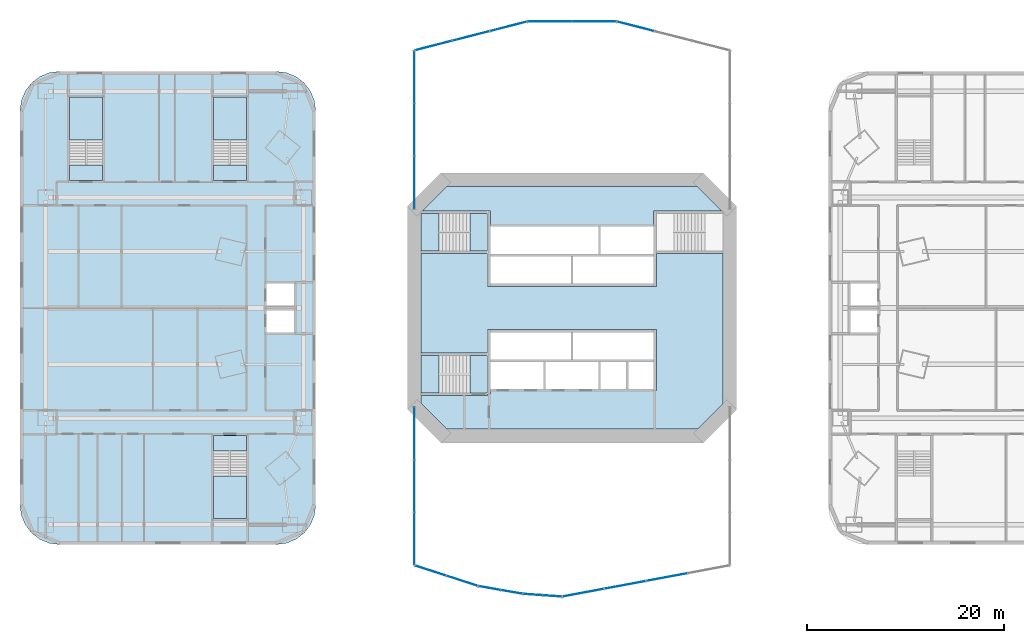
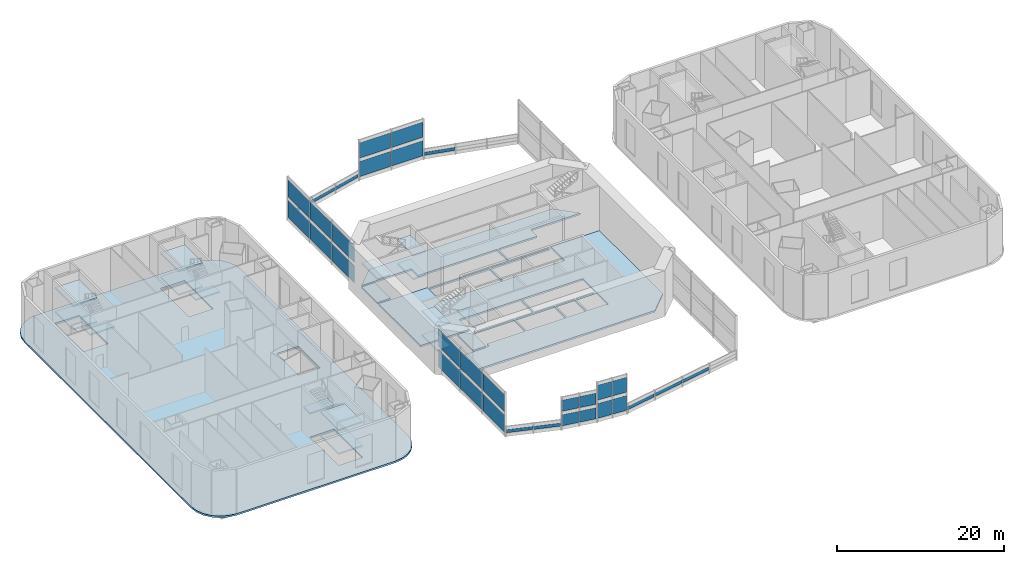
# One storey, part 8 of 19: 33 plates, 20 slabs, 14 elements without a shape of their own.
"""IFC4 building model written with IfcOpenShell, lengths in metres."""

from ifc_helpers import new_model, si_unit, direction, frame, origin, origin_2d, place, context, subcontext, project, spatial, polyline, rectangle, outline, extrude, material, layer, layer_set, type_object, element, aggregate, save


model = new_model("IFC4")

# Units and contexts
model_context = context("Model", 3, precision=1e-05, world=origin(), true_north=direction((0.0, 1.0)))
body_context = subcontext(model_context, "Body", "Model", "MODEL_VIEW")
ifc_project = project(units=[si_unit("LENGTHUNIT", "METRE"), si_unit("AREAUNIT", "SQUARE_METRE"), si_unit("VOLUMEUNIT", "CUBIC_METRE"), si_unit("PLANEANGLEUNIT", "RADIAN"), si_unit("MASSUNIT", "GRAM", prefix="KILO")], contexts=[model_context])

# Site, building, storey
site_placement = place(None, origin())
site = spatial("IfcSite", under=ifc_project, at=site_placement, CompositionType="ELEMENT")
building_placement = place(site_placement, origin())
building = spatial("IfcBuilding", under=site, at=building_placement, Name="Marenthal Gate Tower", CompositionType="ELEMENT")
storey_placement = place(building_placement, frame((0.0, 0.0, 19.0)))
storey = spatial("IfcBuildingStorey", under=building, at=storey_placement, Name="L02", CompositionType="ELEMENT", Elevation=19.0)

# Slabs
ifc_material_1 = material(Name="Concrete 50 MPa", Category="concrete")
ifc_layer_1 = layer(ifc_material_1, 0.25)
ifc_layer_set_1 = layer_set([ifc_layer_1], Name="Core floor slab 250")
slab_type_1 = type_object("IfcSlabType", Name="Core floor slab 250", PredefinedType="FLOOR", material=ifc_layer_set_1)
slab_1_placement = place(storey_placement, frame((0.0, 0.0, -0.25)))
element("IfcSlab", 1, at=slab_1_placement, inside=storey, type_object=slab_type_1, Name="Core floor L02", PredefinedType="FLOOR", context=body_context, shape_type="SweptSolid", body=[
    extrude(outline(polyline([(15.300048828125, -9.710205078125), (12.710205078125, -12.300048828125), (-12.710205078125, -12.300048828125), (-15.300048828125, -9.710205078125), (-15.300048828125, -8.875), (-8.550048828125, -8.875), (-8.550048828125, -8.75), (-8.25, -8.75), (-8.25, -8.239990234375), (-5.60009765625, -8.239990234375), (-2.909912109375, -8.239990234375), (-2.909912109375, -5.4599609375), (-5.60009765625, -5.4599609375), (-8.25, -5.4599609375), (-8.25, -5.239990234375), (-5.60009765625, -5.239990234375), (-2.800048828125, -5.239990234375), (-0.110107421875, -5.239990234375), (-0.110107421875, -2.5), (0.110107421875, -2.5), (0.110107421875, -5.239990234375), (2.800048828125, -5.239990234375), (5.60009765625, -5.239990234375), (8.25, -5.239990234375), (8.25, -5.4599609375), (5.7099609375, -5.4599609375), (5.7099609375, -8.239990234375), (8.25, -8.239990234375), (8.25, -8.35009765625), (8.550048828125, -8.35009765625), (8.550048828125, -2.199951171875), (8.25, -2.199951171875), (-8.25, -2.199951171875), (-8.550048828125, -2.199951171875), (-8.550048828125, -4.574951171875), (-15.300048828125, -4.574951171875), (-15.300048828125, 5.52490234375), (-8.550048828125, 5.52490234375), (-8.550048828125, 2.199951171875), (-8.25, 2.199951171875), (8.25, 2.199951171875), (8.550048828125, 2.199951171875), (8.550048828125, 5.52490234375), (15.300048828125, 5.52490234375), (15.300048828125, -9.710205078125)]), holes=[polyline([(2.909912109375, -8.239990234375), (5.489990234375, -8.239990234375), (5.489990234375, -5.4599609375), (2.909912109375, -5.4599609375), (2.909912109375, -8.239990234375)]), polyline([(-2.68994140625, -5.4599609375), (-2.68994140625, -8.239990234375), (0.0, -8.239990234375), (2.68994140625, -8.239990234375), (2.68994140625, -5.4599609375), (0.0, -5.4599609375), (-2.68994140625, -5.4599609375)])]), origin(), (0.0, 0.0, 1.0), 0.25),
])
slab_2_placement = place(storey_placement, frame((0.0, 0.0, -0.25)))
element("IfcSlab", 2, at=slab_2_placement, inside=storey, type_object=slab_type_1, Name="Core floor L02", PredefinedType="FLOOR", context=body_context, shape_type="SweptSolid", body=[
    extrude(outline(polyline([(12.710205078125, 12.300048828125), (15.18505859375, 9.824951171875), (8.550048828125, 9.824951171875), (8.25, 9.824951171875), (8.25, 8.35009765625), (8.25, 8.239990234375), (5.60009765625, 8.239990234375), (2.909912109375, 8.239990234375), (2.909912109375, 5.4599609375), (5.60009765625, 5.4599609375), (8.25, 5.4599609375), (8.25, 5.239990234375), (5.60009765625, 5.239990234375), (2.800048828125, 5.239990234375), (0.110107421875, 5.239990234375), (0.110107421875, 2.5), (-0.110107421875, 2.5), (-0.110107421875, 5.239990234375), (-2.800048828125, 5.239990234375), (-5.60009765625, 5.239990234375), (-8.25, 5.239990234375), (-8.25, 5.4599609375), (-5.60009765625, 5.4599609375), (-2.800048828125, 5.4599609375), (0.0, 5.4599609375), (2.68994140625, 5.4599609375), (2.68994140625, 8.239990234375), (0.0, 8.239990234375), (-2.800048828125, 8.239990234375), (-5.60009765625, 8.239990234375), (-8.25, 8.239990234375), (-8.25, 8.35009765625), (-8.25, 9.824951171875), (-8.550048828125, 9.824951171875), (-15.18505859375, 9.824951171875), (-12.710205078125, 12.300048828125), (12.710205078125, 12.300048828125)])), origin(), (0.0, 0.0, 1.0), 0.25),
])
slab_3_placement = place(storey_placement, frame((0.0, 0.0, -0.25)))
element("IfcSlab", 3, at=slab_3_placement, inside=storey, type_object=slab_type_1, Name="Core floor L02", PredefinedType="FLOOR", context=body_context, shape_type="SweptSolid", body=[
    extrude(outline(polyline([(-15.300048828125, 9.574951171875), (-13.5, 9.574951171875), (-13.5, 5.77490234375), (-15.300048828125, 5.77490234375), (-15.300048828125, 9.574951171875)])), origin(), (0.0, 0.0, 1.0), 0.25),
])
slab_4_placement = place(storey_placement, frame((0.0, 0.0, -0.25)))
element("IfcSlab", 4, at=slab_4_placement, inside=storey, type_object=slab_type_1, Name="Core floor L02", PredefinedType="FLOOR", context=body_context, shape_type="SweptSolid", body=[
    extrude(outline(polyline([(-10.35009765625, -8.625), (-10.35009765625, -4.824951171875), (-8.550048828125, -4.824951171875), (-8.550048828125, -8.625), (-10.35009765625, -8.625)])), origin(), (0.0, 0.0, 1.0), 0.25),
])

# Curtain wall, plates
ifc_material_2 = material(Name="Aluminium and glass", Category="aluminium")
curtain_wall_type = type_object("IfcCurtainWallType", Name="Curtain wall arch infill", PredefinedType="NOTDEFINED", material=ifc_material_2)
curtain_wall_1_placement = place(storey_placement, origin())
curtain_wall_1 = element("IfcCurtainWall", 5, at=curtain_wall_1_placement, inside=storey, type_object=curtain_wall_type, Name="Curtain wall L02 arch N1", PredefinedType="NOTDEFINED")
ifc_material_3 = material(Name="Glass, laminated impact-rated unit", Category="glass")
ifc_layer_2 = layer(ifc_material_3, 0.035888671875)
ifc_layer_set_2 = layer_set([ifc_layer_2], Name="Glass panel 36 arch infill")
plate_type = type_object("IfcPlateType", Name="Glass panel 36 arch infill", PredefinedType="CURTAIN_PANEL", material=ifc_layer_set_2)
plate_1_placement = place(storey_placement, frame((-14.0576171875, 26.614501953125, 0.5), z_axis=(0.0, 0.0, 1.0), x_axis=(0.968768898542, 0.247965362941, 0.0)))
plate_1 = element("IfcPlate", 6, at=plate_1_placement, type_object=plate_type, Name="Glass panel L02 arch N1.1.1", PredefinedType="CURTAIN_PANEL", context=body_context, shape_type="SweptSolid", body=[
    extrude(rectangle(XDim=3.850341796875, YDim=0.035888671875, at=origin_2d()), origin(), (0.0, 0.0, 1.0), 0.47509765625),
])
plate_2_placement = place(storey_placement, frame((-10.25, 27.589111328125, 0.5), z_axis=(0.0, 0.0, 1.0), x_axis=(0.968768898542, 0.247965362941, 0.0)))
plate_2 = element("IfcPlate", 7, at=plate_2_placement, type_object=plate_type, Name="Glass panel L02 arch N1.2.1", PredefinedType="CURTAIN_PANEL", context=body_context, shape_type="SweptSolid", body=[
    extrude(rectangle(XDim=3.850341796875, YDim=0.035888671875, at=origin_2d()), origin(), (0.0, 0.0, 1.0), 0.47509765625),
])
plate_3_placement = place(storey_placement, frame((-6.4423828125, 28.563720703125, 0.5), z_axis=(0.0, 0.0, 1.0), x_axis=(0.968768898542, 0.247965362941, 0.0)))
plate_3 = element("IfcPlate", 8, at=plate_3_placement, type_object=plate_type, Name="Glass panel L02 arch N1.3.1", PredefinedType="CURTAIN_PANEL", context=body_context, shape_type="SweptSolid", body=[
    extrude(rectangle(XDim=3.850341796875, YDim=0.035888671875, at=origin_2d()), origin(), (0.0, 0.0, 1.0), 0.47509765625),
])
aggregate(curtain_wall_1, [plate_1, plate_2, plate_3])

curtain_wall_2_placement = place(storey_placement, origin())
curtain_wall_2 = element("IfcCurtainWall", 9, at=curtain_wall_2_placement, inside=storey, type_object=curtain_wall_type, Name="Curtain wall L02 arch N2", PredefinedType="NOTDEFINED")
plate_4_placement = place(storey_placement, frame((-2.22998046875, 29.06103515625, 0.5), z_axis=(0.0, 0.0, 1.0), x_axis=(1.0, 0.0, 0.0)))
plate_4 = element("IfcPlate", 10, at=plate_4_placement, type_object=plate_type, Name="Glass panel L02 arch N2.1.1", PredefinedType="CURTAIN_PANEL", context=body_context, shape_type="SweptSolid", body=[
    extrude(rectangle(XDim=4.3798828125, YDim=0.035888671875, at=origin_2d()), origin(), (0.0, 0.0, 1.0), 2.219970703125),
])
plate_5_placement = place(storey_placement, frame((-2.22998046875, 29.06103515625, 3.22021484375), z_axis=(0.0, 0.0, 1.0), x_axis=(1.0, 0.0, 0.0)))
plate_5 = element("IfcPlate", 11, at=plate_5_placement, type_object=plate_type, Name="Glass panel L02 arch N2.1.2", PredefinedType="CURTAIN_PANEL", context=body_context, shape_type="SweptSolid", body=[
    extrude(rectangle(XDim=4.3798828125, YDim=0.035888671875, at=origin_2d()), origin(), (0.0, 0.0, 1.0), 2.219970703125),
])
plate_6_placement = place(storey_placement, frame((2.22998046875, 29.06103515625, 0.5), z_axis=(0.0, 0.0, 1.0), x_axis=(1.0, 0.0, 0.0)))
plate_6 = element("IfcPlate", 12, at=plate_6_placement, type_object=plate_type, Name="Glass panel L02 arch N2.2.1", PredefinedType="CURTAIN_PANEL", context=body_context, shape_type="SweptSolid", body=[
    extrude(rectangle(XDim=4.3798828125, YDim=0.035888671875, at=origin_2d()), origin(), (0.0, 0.0, 1.0), 2.219970703125),
])
plate_7_placement = place(storey_placement, frame((2.22998046875, 29.06103515625, 3.22021484375), z_axis=(0.0, 0.0, 1.0), x_axis=(1.0, 0.0, 0.0)))
plate_7 = element("IfcPlate", 13, at=plate_7_placement, type_object=plate_type, Name="Glass panel L02 arch N2.2.2", PredefinedType="CURTAIN_PANEL", context=body_context, shape_type="SweptSolid", body=[
    extrude(rectangle(XDim=4.3798828125, YDim=0.035888671875, at=origin_2d()), origin(), (0.0, 0.0, 1.0), 2.219970703125),
])
aggregate(curtain_wall_2, [plate_4, plate_5, plate_6, plate_7])

# Curtain wall, plate
curtain_wall_3_placement = place(storey_placement, origin())
curtain_wall_3 = element("IfcCurtainWall", 14, at=curtain_wall_3_placement, inside=storey, type_object=curtain_wall_type, Name="Curtain wall L02 arch N3", PredefinedType="NOTDEFINED")
plate_8_placement = place(storey_placement, frame((6.4423828125, 28.563720703125, 0.5), z_axis=(0.0, 0.0, 1.0), x_axis=(0.968768898542, -0.247965362941, 0.0)))
plate_8 = element("IfcPlate", 15, at=plate_8_placement, type_object=plate_type, Name="Glass panel L02 arch N3.1.1", PredefinedType="CURTAIN_PANEL", context=body_context, shape_type="SweptSolid", body=[
    extrude(rectangle(XDim=3.850341796875, YDim=0.035888671875, at=origin_2d()), origin(), (0.0, 0.0, 1.0), 0.47509765625),
])
aggregate(curtain_wall_3, [plate_8])

# Curtain wall, plates
curtain_wall_4_placement = place(storey_placement, origin())
curtain_wall_4 = element("IfcCurtainWall", 16, at=curtain_wall_4_placement, inside=storey, type_object=curtain_wall_type, Name="Curtain wall L02 hall NW1", PredefinedType="NOTDEFINED")
plate_9_placement = place(storey_placement, frame((-16.0, 12.712890625, 0.5), z_axis=(0.0, 0.0, 1.0), x_axis=(0.0, 1.0, 0.0)))
plate_9 = element("IfcPlate", 17, at=plate_9_placement, type_object=plate_type, Name="Glass panel L02 hall NW1.1.1", PredefinedType="CURTAIN_PANEL", context=body_context, shape_type="SweptSolid", body=[
    extrude(rectangle(XDim=5.265869140625, YDim=0.035888671875, at=origin_2d()), origin(), (0.0, 0.0, 1.0), 2.5),
])
plate_10_placement = place(storey_placement, frame((-16.0, 12.712890625, 3.5), z_axis=(0.0, 0.0, 1.0), x_axis=(0.0, 1.0, 0.0)))
plate_10 = element("IfcPlate", 18, at=plate_10_placement, type_object=plate_type, Name="Glass panel L02 hall NW1.1.2", PredefinedType="CURTAIN_PANEL", context=body_context, shape_type="SweptSolid", body=[
    extrude(rectangle(XDim=5.265869140625, YDim=0.035888671875, at=origin_2d()), origin(), (0.0, 0.0, 1.0), 2.5),
])
plate_11_placement = place(storey_placement, frame((-16.0, 18.05859375, 0.5), z_axis=(0.0, 0.0, 1.0), x_axis=(0.0, 1.0, 0.0)))
plate_11 = element("IfcPlate", 19, at=plate_11_placement, type_object=plate_type, Name="Glass panel L02 hall NW1.2.1", PredefinedType="CURTAIN_PANEL", context=body_context, shape_type="SweptSolid", body=[
    extrude(rectangle(XDim=5.265869140625, YDim=0.035888671875, at=origin_2d()), origin(), (0.0, 0.0, 1.0), 2.5),
])
plate_12_placement = place(storey_placement, frame((-16.0, 18.05859375, 3.5), z_axis=(0.0, 0.0, 1.0), x_axis=(0.0, 1.0, 0.0)))
plate_12 = element("IfcPlate", 20, at=plate_12_placement, type_object=plate_type, Name="Glass panel L02 hall NW1.2.2", PredefinedType="CURTAIN_PANEL", context=body_context, shape_type="SweptSolid", body=[
    extrude(rectangle(XDim=5.265869140625, YDim=0.035888671875, at=origin_2d()), origin(), (0.0, 0.0, 1.0), 2.5),
])
plate_13_placement = place(storey_placement, frame((-16.0, 23.404541015625, 0.5), z_axis=(0.0, 0.0, 1.0), x_axis=(0.0, 1.0, 0.0)))
plate_13 = element("IfcPlate", 21, at=plate_13_placement, type_object=plate_type, Name="Glass panel L02 hall NW1.3.1", PredefinedType="CURTAIN_PANEL", context=body_context, shape_type="SweptSolid", body=[
    extrude(rectangle(XDim=5.265869140625, YDim=0.035888671875, at=origin_2d()), origin(), (0.0, 0.0, 1.0), 2.5),
])
plate_14_placement = place(storey_placement, frame((-16.0, 23.404541015625, 3.5), z_axis=(0.0, 0.0, 1.0), x_axis=(0.0, 1.0, 0.0)))
plate_14 = element("IfcPlate", 22, at=plate_14_placement, type_object=plate_type, Name="Glass panel L02 hall NW1.3.2", PredefinedType="CURTAIN_PANEL", context=body_context, shape_type="SweptSolid", body=[
    extrude(rectangle(XDim=5.265869140625, YDim=0.035888671875, at=origin_2d()), origin(), (0.0, 0.0, 1.0), 2.5),
])
aggregate(curtain_wall_4, [plate_9, plate_10, plate_11, plate_12, plate_13, plate_14])

curtain_wall_5_placement = place(storey_placement, origin())
curtain_wall_5 = element("IfcCurtainWall", 23, at=curtain_wall_5_placement, inside=storey, type_object=curtain_wall_type, Name="Curtain wall L02 arch S1", PredefinedType="NOTDEFINED")
plate_15_placement = place(storey_placement, frame((-14.35595703125, -26.64892578125, 0.5), z_axis=(0.0, 0.0, 1.0), x_axis=(0.951502371344, -0.307641410292, 0.0)))
plate_15 = element("IfcPlate", 24, at=plate_15_placement, type_object=plate_type, Name="Glass panel L02 arch S1.1.1", PredefinedType="CURTAIN_PANEL", context=body_context, shape_type="SweptSolid", body=[
    extrude(rectangle(XDim=3.295654296875, YDim=0.035888671875, at=origin_2d()), origin(), (0.0, 0.0, 1.0), 0.47509765625),
])
plate_16_placement = place(storey_placement, frame((-11.14404296875, -27.6875, 0.5), z_axis=(0.0, 0.0, 1.0), x_axis=(0.951502371344, -0.307641410292, 0.0)))
plate_16 = element("IfcPlate", 25, at=plate_16_placement, type_object=plate_type, Name="Glass panel L02 arch S1.2.1", PredefinedType="CURTAIN_PANEL", context=body_context, shape_type="SweptSolid", body=[
    extrude(rectangle(XDim=3.295654296875, YDim=0.035888671875, at=origin_2d()), origin(), (0.0, 0.0, 1.0), 0.47509765625),
])
aggregate(curtain_wall_5, [plate_15, plate_16])

curtain_wall_6_placement = place(storey_placement, origin())
curtain_wall_6 = element("IfcCurtainWall", 26, at=curtain_wall_6_placement, inside=storey, type_object=curtain_wall_type, Name="Curtain wall L02 arch S2", PredefinedType="NOTDEFINED")
plate_17_placement = place(storey_placement, frame((-8.355224609375, -28.4189453125, 0.5), z_axis=(0.0, 0.0, 1.0), x_axis=(0.985101701709, -0.171972780668, 0.0)))
plate_17 = element("IfcPlate", 27, at=plate_17_placement, type_object=plate_type, Name="Glass panel L02 arch S2.1.1", PredefinedType="CURTAIN_PANEL", context=body_context, shape_type="SweptSolid", body=[
    extrude(rectangle(XDim=2.1640625, YDim=0.035888671875, at=origin_2d()), origin(), (0.0, 0.0, 1.0), 1.632568359375),
])
plate_18_placement = place(storey_placement, frame((-8.355224609375, -28.4189453125, 2.63232421875), z_axis=(0.0, 0.0, 1.0), x_axis=(0.985101701709, -0.171972780668, 0.0)))
plate_18 = element("IfcPlate", 28, at=plate_18_placement, type_object=plate_type, Name="Glass panel L02 arch S2.1.2", PredefinedType="CURTAIN_PANEL", context=body_context, shape_type="SweptSolid", body=[
    extrude(rectangle(XDim=2.1640625, YDim=0.035888671875, at=origin_2d()), origin(), (0.0, 0.0, 1.0), 1.632568359375),
])
plate_19_placement = place(storey_placement, frame((-6.144775390625, -28.8046875, 0.5), z_axis=(0.0, 0.0, 1.0), x_axis=(0.985101701709, -0.171972780668, 0.0)))
plate_19 = element("IfcPlate", 29, at=plate_19_placement, type_object=plate_type, Name="Glass panel L02 arch S2.2.1", PredefinedType="CURTAIN_PANEL", context=body_context, shape_type="SweptSolid", body=[
    extrude(rectangle(XDim=2.1640625, YDim=0.035888671875, at=origin_2d()), origin(), (0.0, 0.0, 1.0), 1.632568359375),
])
plate_20_placement = place(storey_placement, frame((-6.144775390625, -28.8046875, 2.63232421875), z_axis=(0.0, 0.0, 1.0), x_axis=(0.985101701709, -0.171972780668, 0.0)))
plate_20 = element("IfcPlate", 30, at=plate_20_placement, type_object=plate_type, Name="Glass panel L02 arch S2.2.2", PredefinedType="CURTAIN_PANEL", context=body_context, shape_type="SweptSolid", body=[
    extrude(rectangle(XDim=2.1640625, YDim=0.035888671875, at=origin_2d()), origin(), (0.0, 0.0, 1.0), 1.632568359375),
])
aggregate(curtain_wall_6, [plate_17, plate_18, plate_19, plate_20])

curtain_wall_7_placement = place(storey_placement, origin())
curtain_wall_7 = element("IfcCurtainWall", 31, at=curtain_wall_7_placement, inside=storey, type_object=curtain_wall_type, Name="Curtain wall L02 arch S3", PredefinedType="NOTDEFINED")
plate_21_placement = place(storey_placement, frame((-3.97998046875, -29.076904296875, 0.5), z_axis=(0.0, 0.0, 1.0), x_axis=(0.997495161638, -0.070734733401, 0.0)))
plate_21 = element("IfcPlate", 32, at=plate_21_placement, type_object=plate_type, Name="Glass panel L02 arch S3.1.1", PredefinedType="CURTAIN_PANEL", context=body_context, shape_type="SweptSolid", body=[
    extrude(rectangle(XDim=1.885009765625, YDim=0.035888671875, at=origin_2d()), origin(), (0.0, 0.0, 1.0), 2.177001953125),
])
plate_22_placement = place(storey_placement, frame((-3.97998046875, -29.076904296875, 3.1767578125), z_axis=(0.0, 0.0, 1.0), x_axis=(0.997495161638, -0.070734733401, 0.0)))
plate_22 = element("IfcPlate", 33, at=plate_22_placement, type_object=plate_type, Name="Glass panel L02 arch S3.1.2", PredefinedType="CURTAIN_PANEL", context=body_context, shape_type="SweptSolid", body=[
    extrude(rectangle(XDim=1.885009765625, YDim=0.035888671875, at=origin_2d()), origin(), (0.0, 0.0, 1.0), 2.177001953125),
])
plate_23_placement = place(storey_placement, frame((-2.02001953125, -29.2158203125, 0.5), z_axis=(0.0, 0.0, 1.0), x_axis=(0.997495161638, -0.070734733401, 0.0)))
plate_23 = element("IfcPlate", 34, at=plate_23_placement, type_object=plate_type, Name="Glass panel L02 arch S3.2.1", PredefinedType="CURTAIN_PANEL", context=body_context, shape_type="SweptSolid", body=[
    extrude(rectangle(XDim=1.885009765625, YDim=0.035888671875, at=origin_2d()), origin(), (0.0, 0.0, 1.0), 2.177001953125),
])
plate_24_placement = place(storey_placement, frame((-2.02001953125, -29.2158203125, 3.1767578125), z_axis=(0.0, 0.0, 1.0), x_axis=(0.997495161638, -0.070734733401, 0.0)))
plate_24 = element("IfcPlate", 35, at=plate_24_placement, type_object=plate_type, Name="Glass panel L02 arch S3.2.2", PredefinedType="CURTAIN_PANEL", context=body_context, shape_type="SweptSolid", body=[
    extrude(rectangle(XDim=1.885009765625, YDim=0.035888671875, at=origin_2d()), origin(), (0.0, 0.0, 1.0), 2.177001953125),
])
aggregate(curtain_wall_7, [plate_21, plate_22, plate_23, plate_24])

curtain_wall_8_placement = place(storey_placement, origin())
curtain_wall_8 = element("IfcCurtainWall", 36, at=curtain_wall_8_placement, inside=storey, type_object=curtain_wall_type, Name="Curtain wall L02 arch S4", PredefinedType="NOTDEFINED")
plate_25_placement = place(storey_placement, frame((1.154541015625, -28.886474609375, 0.5), z_axis=(0.0, 0.0, 1.0), x_axis=(0.983046432537, 0.183356787375, 0.0)))
plate_25 = element("IfcPlate", 37, at=plate_25_placement, type_object=plate_type, Name="Glass panel L02 arch S4.1.1", PredefinedType="CURTAIN_PANEL", context=body_context, shape_type="SweptSolid", body=[
    extrude(rectangle(XDim=4.223388671875, YDim=0.035888671875, at=origin_2d()), origin(), (0.0, 0.0, 1.0), 0.47509765625),
])
plate_26_placement = place(storey_placement, frame((5.384765625, -28.097412109375, 0.5), z_axis=(0.0, 0.0, 1.0), x_axis=(0.983046432537, 0.183356787375, 0.0)))
plate_26 = element("IfcPlate", 38, at=plate_26_placement, type_object=plate_type, Name="Glass panel L02 arch S4.2.1", PredefinedType="CURTAIN_PANEL", context=body_context, shape_type="SweptSolid", body=[
    extrude(rectangle(XDim=4.223388671875, YDim=0.035888671875, at=origin_2d()), origin(), (0.0, 0.0, 1.0), 0.47509765625),
])
plate_27_placement = place(storey_placement, frame((9.615234375, -27.308349609375, 0.5), z_axis=(0.0, 0.0, 1.0), x_axis=(0.983046432537, 0.183356787375, 0.0)))
plate_27 = element("IfcPlate", 39, at=plate_27_placement, type_object=plate_type, Name="Glass panel L02 arch S4.3.1", PredefinedType="CURTAIN_PANEL", context=body_context, shape_type="SweptSolid", body=[
    extrude(rectangle(XDim=4.223388671875, YDim=0.035888671875, at=origin_2d()), origin(), (0.0, 0.0, 1.0), 0.47509765625),
])
aggregate(curtain_wall_8, [plate_25, plate_26, plate_27])

curtain_wall_9_placement = place(storey_placement, origin())
curtain_wall_9 = element("IfcCurtainWall", 40, at=curtain_wall_9_placement, inside=storey, type_object=curtain_wall_type, Name="Curtain wall L02 hall SW1", PredefinedType="NOTDEFINED")
plate_28_placement = place(storey_placement, frame((-16.0, -12.712890625, 0.5), z_axis=(0.0, 0.0, 1.0), x_axis=(0.0, -1.0, 0.0)))
plate_28 = element("IfcPlate", 41, at=plate_28_placement, type_object=plate_type, Name="Glass panel L02 hall SW1.1.1", PredefinedType="CURTAIN_PANEL", context=body_context, shape_type="SweptSolid", body=[
    extrude(rectangle(XDim=5.265869140625, YDim=0.035888671875, at=origin_2d()), origin(), (0.0, 0.0, 1.0), 2.5),
])
plate_29_placement = place(storey_placement, frame((-16.0, -12.712890625, 3.5), z_axis=(0.0, 0.0, 1.0), x_axis=(0.0, -1.0, 0.0)))
plate_29 = element("IfcPlate", 42, at=plate_29_placement, type_object=plate_type, Name="Glass panel L02 hall SW1.1.2", PredefinedType="CURTAIN_PANEL", context=body_context, shape_type="SweptSolid", body=[
    extrude(rectangle(XDim=5.265869140625, YDim=0.035888671875, at=origin_2d()), origin(), (0.0, 0.0, 1.0), 2.5),
])
plate_30_placement = place(storey_placement, frame((-16.0, -18.05859375, 0.5), z_axis=(0.0, 0.0, 1.0), x_axis=(0.0, -1.0, 0.0)))
plate_30 = element("IfcPlate", 43, at=plate_30_placement, type_object=plate_type, Name="Glass panel L02 hall SW1.2.1", PredefinedType="CURTAIN_PANEL", context=body_context, shape_type="SweptSolid", body=[
    extrude(rectangle(XDim=5.265869140625, YDim=0.035888671875, at=origin_2d()), origin(), (0.0, 0.0, 1.0), 2.5),
])
plate_31_placement = place(storey_placement, frame((-16.0, -18.05859375, 3.5), z_axis=(0.0, 0.0, 1.0), x_axis=(0.0, -1.0, 0.0)))
plate_31 = element("IfcPlate", 44, at=plate_31_placement, type_object=plate_type, Name="Glass panel L02 hall SW1.2.2", PredefinedType="CURTAIN_PANEL", context=body_context, shape_type="SweptSolid", body=[
    extrude(rectangle(XDim=5.265869140625, YDim=0.035888671875, at=origin_2d()), origin(), (0.0, 0.0, 1.0), 2.5),
])
plate_32_placement = place(storey_placement, frame((-16.0, -23.404541015625, 0.5), z_axis=(0.0, 0.0, 1.0), x_axis=(0.0, -1.0, 0.0)))
plate_32 = element("IfcPlate", 45, at=plate_32_placement, type_object=plate_type, Name="Glass panel L02 hall SW1.3.1", PredefinedType="CURTAIN_PANEL", context=body_context, shape_type="SweptSolid", body=[
    extrude(rectangle(XDim=5.265869140625, YDim=0.035888671875, at=origin_2d()), origin(), (0.0, 0.0, 1.0), 2.5),
])
plate_33_placement = place(storey_placement, frame((-16.0, -23.404541015625, 3.5), z_axis=(0.0, 0.0, 1.0), x_axis=(0.0, -1.0, 0.0)))
plate_33 = element("IfcPlate", 46, at=plate_33_placement, type_object=plate_type, Name="Glass panel L02 hall SW1.3.2", PredefinedType="CURTAIN_PANEL", context=body_context, shape_type="SweptSolid", body=[
    extrude(rectangle(XDim=5.265869140625, YDim=0.035888671875, at=origin_2d()), origin(), (0.0, 0.0, 1.0), 2.5),
])
aggregate(curtain_wall_9, [plate_28, plate_29, plate_30, plate_31, plate_32, plate_33])

# Stair, slabs
ifc_material_4 = material(Name="Concrete 40 MPa", Category="concrete")
stair_type_1 = type_object("IfcStairType", Name="Exit stair 1800", PredefinedType="HALF_TURN_STAIR", material=ifc_material_4)
stair_1_placement = place(storey_placement, origin())
stair_1 = element("IfcStair", 47, at=stair_1_placement, inside=storey, type_object=stair_type_1, Name="Stair ST1", PredefinedType="HALF_TURN_STAIR")
ifc_material_5 = material(Name="Concrete 40 MPa", Category="concrete")
ifc_layer_3 = layer(ifc_material_5, 0.199951171875)
ifc_layer_set_3 = layer_set([ifc_layer_3], Name="Stair landing 200")
slab_type_2 = type_object("IfcSlabType", Name="Stair landing 200", PredefinedType="LANDING", material=ifc_layer_set_3)
slab_5_placement = place(storey_placement, frame((0.0, 0.0, 1.550048828125)))
slab_5 = element("IfcSlab", 48, at=slab_5_placement, type_object=slab_type_2, Name="ST1 landing 1", PredefinedType="LANDING", context=body_context, shape_type="SweptSolid", body=[
    extrude(outline(polyline([(-10.35009765625, 5.77490234375), (-8.550048828125, 5.77490234375), (-8.550048828125, 9.574951171875), (-10.35009765625, 9.574951171875), (-10.35009765625, 5.77490234375)])), origin(), (0.0, 0.0, 1.0), 0.199951171875),
])
slab_6_placement = place(storey_placement, frame((0.0, 0.0, 3.300048828125)))
slab_6 = element("IfcSlab", 49, at=slab_6_placement, type_object=slab_type_2, Name="ST1 landing 2", PredefinedType="LANDING", context=body_context, shape_type="SweptSolid", body=[
    extrude(outline(polyline([(-15.300048828125, 5.77490234375), (-13.5, 5.77490234375), (-13.5, 9.574951171875), (-15.300048828125, 9.574951171875), (-15.300048828125, 5.77490234375)])), origin(), (0.0, 0.0, 1.0), 0.199951171875),
])
slab_7_placement = place(storey_placement, frame((0.0, 0.0, 5.050048828125)))
slab_7 = element("IfcSlab", 50, at=slab_7_placement, type_object=slab_type_2, Name="ST1 landing 3", PredefinedType="LANDING", context=body_context, shape_type="SweptSolid", body=[
    extrude(outline(polyline([(-10.35009765625, 5.77490234375), (-8.550048828125, 5.77490234375), (-8.550048828125, 9.574951171875), (-10.35009765625, 9.574951171875), (-10.35009765625, 5.77490234375)])), origin(), (0.0, 0.0, 1.0), 0.199951171875),
])
aggregate(stair_1, [slab_5, slab_6, slab_7])

stair_2_placement = place(storey_placement, origin())
stair_2 = element("IfcStair", 51, at=stair_2_placement, inside=storey, type_object=stair_type_1, Name="Stair ST2", PredefinedType="HALF_TURN_STAIR")
slab_8_placement = place(storey_placement, frame((0.0, 0.0, 1.550048828125)))
slab_8 = element("IfcSlab", 52, at=slab_8_placement, type_object=slab_type_2, Name="ST2 landing 1", PredefinedType="LANDING", context=body_context, shape_type="SweptSolid", body=[
    extrude(outline(polyline([(-15.300048828125, -8.625), (-13.5, -8.625), (-13.5, -4.824951171875), (-15.300048828125, -4.824951171875), (-15.300048828125, -8.625)])), origin(), (0.0, 0.0, 1.0), 0.199951171875),
])
slab_9_placement = place(storey_placement, frame((0.0, 0.0, 3.300048828125)))
slab_9 = element("IfcSlab", 53, at=slab_9_placement, type_object=slab_type_2, Name="ST2 landing 2", PredefinedType="LANDING", context=body_context, shape_type="SweptSolid", body=[
    extrude(outline(polyline([(-10.35009765625, -8.625), (-8.550048828125, -8.625), (-8.550048828125, -4.824951171875), (-10.35009765625, -4.824951171875), (-10.35009765625, -8.625)])), origin(), (0.0, 0.0, 1.0), 0.199951171875),
])
slab_10_placement = place(storey_placement, frame((0.0, 0.0, 5.050048828125)))
slab_10 = element("IfcSlab", 54, at=slab_10_placement, type_object=slab_type_2, Name="ST2 landing 3", PredefinedType="LANDING", context=body_context, shape_type="SweptSolid", body=[
    extrude(outline(polyline([(-15.300048828125, -8.625), (-13.5, -8.625), (-13.5, -4.824951171875), (-15.300048828125, -4.824951171875), (-15.300048828125, -8.625)])), origin(), (0.0, 0.0, 1.0), 0.199951171875),
])
aggregate(stair_2, [slab_8, slab_9, slab_10])

ifc_material_6 = material(Name="Concrete 40 MPa", Category="concrete")
stair_type_2 = type_object("IfcStairType", Name="Exit stair 1600", PredefinedType="HALF_TURN_STAIR", material=ifc_material_6)
stair_3_placement = place(storey_placement, origin())
stair_3 = element("IfcStair", 55, at=stair_3_placement, inside=storey, type_object=stair_type_2, Name="Stair W1", PredefinedType="HALF_TURN_STAIR")
slab_11_placement = place(storey_placement, frame((0.0, 0.0, 1.550048828125)))
slab_11 = element("IfcSlab", 56, at=slab_11_placement, type_object=slab_type_2, Name="W1 landing 1", PredefinedType="LANDING", context=body_context, shape_type="SweptSolid", body=[
    extrude(outline(polyline([(-36.375, 17.044921875), (-36.375, 21.375), (-33.02490234375, 21.375), (-33.02490234375, 17.044921875), (-36.375, 17.044921875)])), origin(), (0.0, 0.0, 1.0), 0.199951171875),
])
slab_12_placement = place(storey_placement, frame((0.0, 0.0, 3.300048828125)))
slab_12 = element("IfcSlab", 57, at=slab_12_placement, type_object=slab_type_2, Name="W1 landing 2", PredefinedType="LANDING", context=body_context, shape_type="SweptSolid", body=[
    extrude(outline(polyline([(-36.375, 12.925048828125), (-36.375, 14.52490234375), (-33.02490234375, 14.52490234375), (-33.02490234375, 12.925048828125), (-36.375, 12.925048828125)])), origin(), (0.0, 0.0, 1.0), 0.199951171875),
])
slab_13_placement = place(storey_placement, frame((0.0, 0.0, 5.050048828125)))
slab_13 = element("IfcSlab", 58, at=slab_13_placement, type_object=slab_type_2, Name="W1 landing 3", PredefinedType="LANDING", context=body_context, shape_type="SweptSolid", body=[
    extrude(outline(polyline([(-36.375, 17.044921875), (-36.375, 21.375), (-33.02490234375, 21.375), (-33.02490234375, 17.044921875), (-36.375, 17.044921875)])), origin(), (0.0, 0.0, 1.0), 0.199951171875),
])
aggregate(stair_3, [slab_11, slab_12, slab_13])

stair_4_placement = place(storey_placement, origin())
stair_4 = element("IfcStair", 59, at=stair_4_placement, inside=storey, type_object=stair_type_2, Name="Stair W2", PredefinedType="HALF_TURN_STAIR")
slab_14_placement = place(storey_placement, frame((0.0, 0.0, 1.550048828125)))
slab_14 = element("IfcSlab", 60, at=slab_14_placement, type_object=slab_type_2, Name="W2 landing 1", PredefinedType="LANDING", context=body_context, shape_type="SweptSolid", body=[
    extrude(outline(polyline([(-33.02490234375, -17.044921875), (-33.02490234375, -21.375), (-36.375, -21.375), (-36.375, -17.044921875), (-33.02490234375, -17.044921875)])), origin(), (0.0, 0.0, 1.0), 0.199951171875),
])
slab_15_placement = place(storey_placement, frame((0.0, 0.0, 3.300048828125)))
slab_15 = element("IfcSlab", 61, at=slab_15_placement, type_object=slab_type_2, Name="W2 landing 2", PredefinedType="LANDING", context=body_context, shape_type="SweptSolid", body=[
    extrude(outline(polyline([(-33.02490234375, -12.925048828125), (-33.02490234375, -14.52490234375), (-36.375, -14.52490234375), (-36.375, -12.925048828125), (-33.02490234375, -12.925048828125)])), origin(), (0.0, 0.0, 1.0), 0.199951171875),
])
slab_16_placement = place(storey_placement, frame((0.0, 0.0, 5.050048828125)))
slab_16 = element("IfcSlab", 62, at=slab_16_placement, type_object=slab_type_2, Name="W2 landing 3", PredefinedType="LANDING", context=body_context, shape_type="SweptSolid", body=[
    extrude(outline(polyline([(-33.02490234375, -17.044921875), (-33.02490234375, -21.375), (-36.375, -21.375), (-36.375, -17.044921875), (-33.02490234375, -17.044921875)])), origin(), (0.0, 0.0, 1.0), 0.199951171875),
])
aggregate(stair_4, [slab_14, slab_15, slab_16])

stair_5_placement = place(storey_placement, origin())
stair_5 = element("IfcStair", 63, at=stair_5_placement, inside=storey, type_object=stair_type_2, Name="Stair W3", PredefinedType="HALF_TURN_STAIR")
slab_17_placement = place(storey_placement, frame((0.0, 0.0, 1.550048828125)))
slab_17 = element("IfcSlab", 64, at=slab_17_placement, type_object=slab_type_2, Name="W3 landing 1", PredefinedType="LANDING", context=body_context, shape_type="SweptSolid", body=[
    extrude(outline(polyline([(-50.97509765625, 17.044921875), (-50.97509765625, 21.375), (-47.625, 21.375), (-47.625, 17.044921875), (-50.97509765625, 17.044921875)])), origin(), (0.0, 0.0, 1.0), 0.199951171875),
])
slab_18_placement = place(storey_placement, frame((0.0, 0.0, 3.300048828125)))
slab_18 = element("IfcSlab", 65, at=slab_18_placement, type_object=slab_type_2, Name="W3 landing 2", PredefinedType="LANDING", context=body_context, shape_type="SweptSolid", body=[
    extrude(outline(polyline([(-50.97509765625, 12.925048828125), (-50.97509765625, 14.52490234375), (-47.625, 14.52490234375), (-47.625, 12.925048828125), (-50.97509765625, 12.925048828125)])), origin(), (0.0, 0.0, 1.0), 0.199951171875),
])
slab_19_placement = place(storey_placement, frame((0.0, 0.0, 5.050048828125)))
slab_19 = element("IfcSlab", 66, at=slab_19_placement, type_object=slab_type_2, Name="W3 landing 3", PredefinedType="LANDING", context=body_context, shape_type="SweptSolid", body=[
    extrude(outline(polyline([(-50.97509765625, 17.044921875), (-50.97509765625, 21.375), (-47.625, 21.375), (-47.625, 17.044921875), (-50.97509765625, 17.044921875)])), origin(), (0.0, 0.0, 1.0), 0.199951171875),
])
aggregate(stair_5, [slab_17, slab_18, slab_19])

# Slab
ifc_material_7 = material(Name="Concrete 35 MPa", Category="concrete")
ifc_layer_4 = layer(ifc_material_7, 0.25)
ifc_layer_set_4 = layer_set([ifc_layer_4], Name="WING FLOOR 250")
slab_type_3 = type_object("IfcSlabType", Name="WING FLOOR 250", PredefinedType="FLOOR", material=ifc_layer_set_4)
slab_20_placement = place(storey_placement, frame((0.0, 0.0, -0.25)))
element("IfcSlab", 67, at=slab_20_placement, inside=storey, type_object=slab_type_3, Name="SL-L02-12", PredefinedType="FLOOR", context=body_context, shape_type="SweptSolid", body=[
    extrude(outline(polyline([(-52.0, -24.0), (-53.035400390625, -23.86376953125), (-54.0, -23.464111328125), (-54.828369140625, -22.828369140625), (-55.464111328125, -22.0), (-55.86376953125, -21.035400390625), (-56.0, -20.0), (-56.0, 20.0), (-55.86376953125, 21.035400390625), (-55.464111328125, 22.0), (-54.828369140625, 22.828369140625), (-54.0, 23.464111328125), (-53.035400390625, 23.86376953125), (-52.0, 24.0), (-30.0, 24.0), (-28.964599609375, 23.86376953125), (-28.0, 23.464111328125), (-27.171630859375, 22.828369140625), (-26.535888671875, 22.0), (-26.13623046875, 21.035400390625), (-26.0, 20.0), (-26.0, -20.0), (-26.13623046875, -21.035400390625), (-26.535888671875, -22.0), (-27.171630859375, -22.828369140625), (-28.0, -23.464111328125), (-28.964599609375, -23.86376953125), (-30.0, -24.0), (-52.0, -24.0)]), holes=[polyline([(-36.375, -14.529052734375), (-36.375, -21.37109375), (-33.02490234375, -21.37109375), (-33.02490234375, -14.529052734375), (-36.375, -14.529052734375)]), polyline([(-31.10009765625, 2.60009765625), (-31.10009765625, -2.60009765625), (-28.10009765625, -2.60009765625), (-28.10009765625, 2.60009765625), (-31.10009765625, 2.60009765625)]), polyline([(-50.97509765625, 21.37109375), (-50.97509765625, 14.529052734375), (-47.625, 14.529052734375), (-47.625, 21.37109375), (-50.97509765625, 21.37109375)]), polyline([(-36.375, 21.37109375), (-36.375, 14.529052734375), (-33.02490234375, 14.529052734375), (-33.02490234375, 21.37109375), (-36.375, 21.37109375)])]), origin(), (0.0, 0.0, 1.0), 0.25),
])

save(model, "model.ifc")
